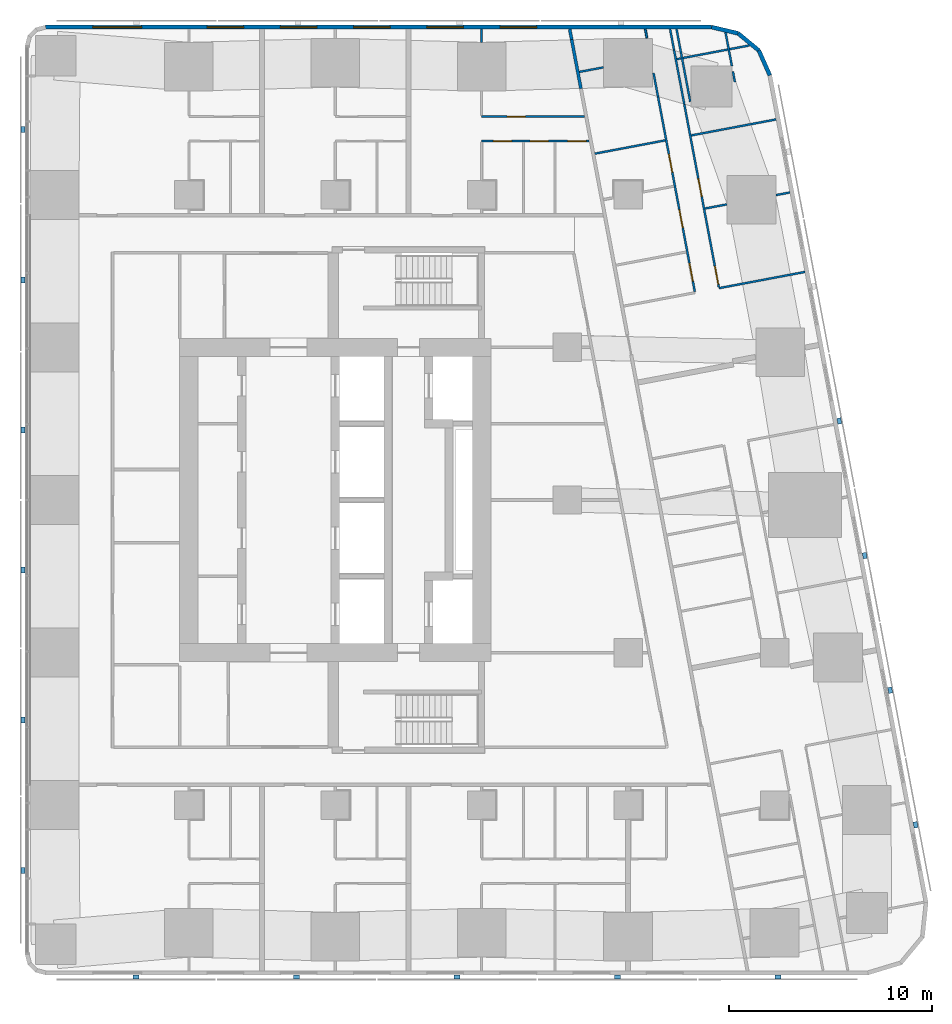
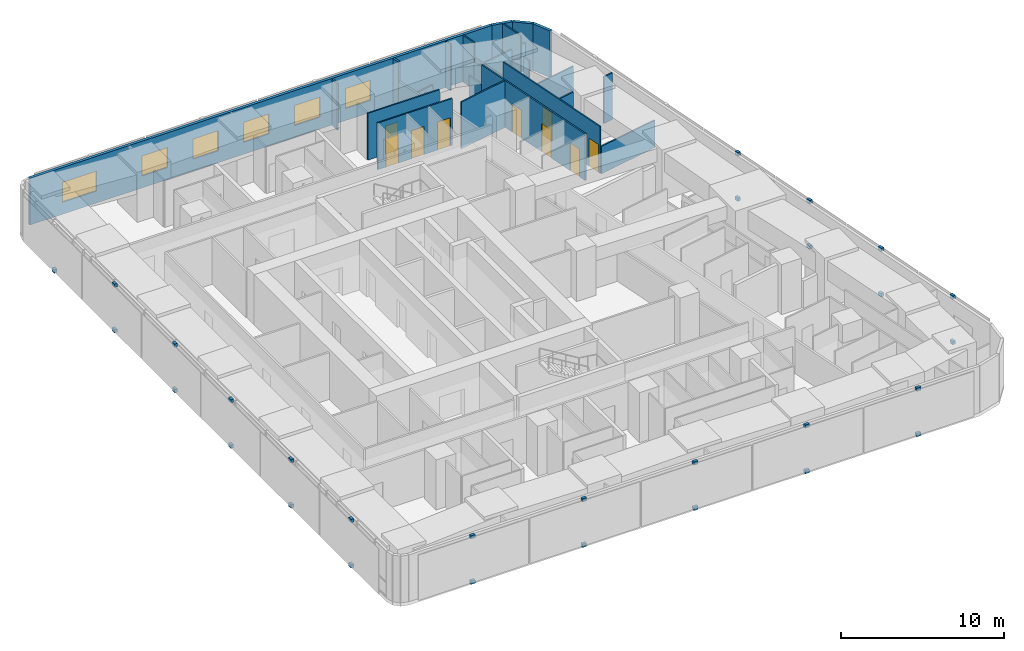
# One storey, part 14 of 17: 29 discrete accessories, 25 walls, 9 doors, 6 windows, 15 openings.
"""IFC4 building model written with IfcOpenShell, lengths in metres."""

from ifc_helpers import new_model, si_unit, direction, frame, frame_2d, origin, origin_2d, place, context, subcontext, project, spatial, rectangle, extrude, material, layer, layer_set, type_object, element, fill, save


model = new_model("IFC4")

# Units and contexts
model_context = context("Model", 3, precision=1e-05, world=origin(), true_north=direction((0.0, 1.0)))
body_context = subcontext(model_context, "Body", "Model", "MODEL_VIEW")
ifc_project = project(units=[si_unit("LENGTHUNIT", "METRE"), si_unit("AREAUNIT", "SQUARE_METRE"), si_unit("VOLUMEUNIT", "CUBIC_METRE"), si_unit("PLANEANGLEUNIT", "RADIAN"), si_unit("MASSUNIT", "GRAM", prefix="KILO")], contexts=[model_context])

# Site, building, storey
site_placement = place(None, origin())
site = spatial("IfcSite", under=ifc_project, at=site_placement, CompositionType="ELEMENT")
building_placement = place(site_placement, origin())
building = spatial("IfcBuilding", under=site, at=building_placement, Name="Sheger Commons Tower", CompositionType="ELEMENT")
storey_placement = place(building_placement, frame((0.0, 0.0, 204.949951171875)))
storey = spatial("IfcBuildingStorey", under=building, at=storey_placement, Name="L52", CompositionType="ELEMENT", Elevation=204.949951171875)

# Walls
ifc_material_1 = material(Name="Hollow concrete block masonry, skimmed both sides", Category="masonry")
ifc_layer_1 = layer(ifc_material_1, 0.14990234375)
ifc_layer_set_1 = layer_set([ifc_layer_1], Name="CORRIDOR WALL 150")
wall_type_1 = type_object("IfcWallType", Name="CORRIDOR WALL 150", PredefinedType="SOLIDWALL", material=ifc_layer_set_1)
wall_1_placement = place(storey_placement, frame((33.126953125, 45.64990234375, 0.0), z_axis=(0.0, 0.0, 1.0), x_axis=(0.185441815104, -0.982655246366, 0.0)))
element("IfcWall", 1, at=wall_1_placement, inside=storey, type_object=wall_type_1, Name="Corridor wall L52", PredefinedType="SOLIDWALL", context=body_context, shape_type="SweptSolid", body=[
    extrude(rectangle(XDim=0.52392578125, YDim=0.14990234375, at=frame_2d((0.261962890625, 0.0))), origin(), (0.0, 0.0, 1.0), 3.5),
])
wall_2_placement = place(storey_placement, frame((33.22412109375, 45.135009765625, 0.0), z_axis=(0.0, 0.0, 1.0), x_axis=(0.185681462868, -0.982609990967, 0.0)))
element("IfcWall", 2, at=wall_2_placement, inside=storey, type_object=wall_type_1, Name="Corridor wall L52", PredefinedType="SOLIDWALL", context=body_context, shape_type="SweptSolid", body=[
    extrude(rectangle(XDim=2.454833984375, YDim=0.14990234375, at=frame_2d((1.2275390625, 0.0))), origin(), (0.0, 0.0, 1.0), 2.050048828125),
])
ifc_material_2 = material(Name="Rendered concrete block masonry, dark grey", Category="masonry")
ifc_layer_2 = layer(ifc_material_2, 0.199951171875)
ifc_layer_set_2 = layer_set([ifc_layer_2], Name="FACADE WALL 200")
wall_type_2 = type_object("IfcWallType", Name="FACADE WALL 200", PredefinedType="SOLIDWALL", material=ifc_layer_set_2)
wall_3_placement = place(storey_placement, frame((42.969970703125, 43.376953125, 0.0), z_axis=(0.0, 0.0, 1.0), x_axis=(-0.406002956633, 0.913871762998, 0.0)))
element("IfcWall", 3, at=wall_3_placement, inside=storey, type_object=wall_type_2, Name="Facade wall L52", PredefinedType="SOLIDWALL", context=body_context, shape_type="SweptSolid", body=[
    extrude(rectangle(XDim=1.33740234375, YDim=0.199951171875, at=frame_2d((0.668701171875, 0.0))), origin(), (0.0, 0.0, 1.0), 3.5),
])
wall_4_placement = place(storey_placement, frame((42.427001953125, 44.59912109375, 0.0), z_axis=(0.0, 0.0, 1.0), x_axis=(-0.770091412544, 0.637933551655, 0.0)))
element("IfcWall", 4, at=wall_4_placement, inside=storey, type_object=wall_type_2, Name="Facade wall L52", PredefinedType="SOLIDWALL", context=body_context, shape_type="SweptSolid", body=[
    extrude(rectangle(XDim=1.324462890625, YDim=0.199951171875, at=frame_2d((0.662109375, 0.0))), origin(), (0.0, 0.0, 1.0), 3.5),
])
wall_5_placement = place(storey_placement, frame((41.406982421875, 45.444091796875, 0.0), z_axis=(0.0, 0.0, 1.0), x_axis=(-0.973453091607, 0.228886606077, 0.0)))
element("IfcWall", 5, at=wall_5_placement, inside=storey, type_object=wall_type_2, Name="Facade wall L52", PredefinedType="SOLIDWALL", context=body_context, shape_type="SweptSolid", body=[
    extrude(rectangle(XDim=1.33642578125, YDim=0.199951171875, at=frame_2d((0.668212890625, 0.0))), origin(), (0.0, 0.0, 1.0), 3.5),
])

# Wall, openings, windows
wall_6_placement = place(storey_placement, frame((40.10595703125, 45.75, 0.0), z_axis=(0.0, 0.0, 1.0), x_axis=(-1.0, 0.0, 0.0)))
wall_6 = element("IfcWall", 6, at=wall_6_placement, inside=storey, type_object=wall_type_2, Name="Facade wall L52", PredefinedType="SOLIDWALL", context=body_context, shape_type="SweptSolid", body=[
    extrude(rectangle(XDim=32.742919921875, YDim=0.199951171875, at=frame_2d((16.37158203125, 0.0))), origin(), (0.0, 0.0, 1.0), 3.5),
])
opening_1_placement = place(wall_6_placement, frame((8.60595703125, 0.0, 0.89990234375)))
opening_1 = element("IfcOpeningElement", 7, at=opening_1_placement, cuts=wall_6, Name="Opening W2", PredefinedType="OPENING", context=body_context, shape_type="SweptSolid", body=[
    extrude(rectangle(XDim=1.800048828125, YDim=1.5, at=frame_2d((0.89990234375, 0.75))), frame((0.0, 0.10986328125, 0.0), z_axis=(0.0, -1.0, 0.0), x_axis=(1.0, 0.0, 0.0)), (0.0, 0.0, 1.0), 0.219970703125),
])
opening_2_placement = place(wall_6_placement, frame((12.2060546875, 0.0, 0.89990234375)))
opening_2 = element("IfcOpeningElement", 8, at=opening_2_placement, cuts=wall_6, Name="Opening W2", PredefinedType="OPENING", context=body_context, shape_type="SweptSolid", body=[
    extrude(rectangle(XDim=1.800048828125, YDim=1.5, at=frame_2d((0.89990234375, 0.75))), frame((0.0, 0.10986328125, 0.0), z_axis=(0.0, -1.0, 0.0), x_axis=(1.0, 0.0, 0.0)), (0.0, 0.0, 1.0), 0.219970703125),
])
opening_3_placement = place(wall_6_placement, frame((15.805908203125, 0.0, 0.89990234375)))
opening_3 = element("IfcOpeningElement", 9, at=opening_3_placement, cuts=wall_6, Name="Opening W2", PredefinedType="OPENING", context=body_context, shape_type="SweptSolid", body=[
    extrude(rectangle(XDim=1.800048828125, YDim=1.5, at=frame_2d((0.89990234375, 0.75))), frame((0.0, 0.10986328125, 0.0), z_axis=(0.0, -1.0, 0.0), x_axis=(1.0, 0.0, 0.0)), (0.0, 0.0, 1.0), 0.219970703125),
])
opening_4_placement = place(wall_6_placement, frame((19.406005859375, 0.0, 0.89990234375)))
opening_4 = element("IfcOpeningElement", 10, at=opening_4_placement, cuts=wall_6, Name="Opening W2", PredefinedType="OPENING", context=body_context, shape_type="SweptSolid", body=[
    extrude(rectangle(XDim=1.800048828125, YDim=1.5, at=frame_2d((0.89990234375, 0.75))), frame((0.0, 0.10986328125, 0.0), z_axis=(0.0, -1.0, 0.0), x_axis=(1.0, 0.0, 0.0)), (0.0, 0.0, 1.0), 0.219970703125),
])
opening_5_placement = place(wall_6_placement, frame((23.006103515625, 0.0, 0.89990234375)))
opening_5 = element("IfcOpeningElement", 11, at=opening_5_placement, cuts=wall_6, Name="Opening W2", PredefinedType="OPENING", context=body_context, shape_type="SweptSolid", body=[
    extrude(rectangle(XDim=1.800048828125, YDim=1.5, at=frame_2d((0.89990234375, 0.75))), frame((0.0, 0.10986328125, 0.0), z_axis=(0.0, -1.0, 0.0), x_axis=(1.0, 0.0, 0.0)), (0.0, 0.0, 1.0), 0.219970703125),
])
opening_6_placement = place(wall_6_placement, frame((28.02490234375, 0.0, 0.89990234375)))
opening_6 = element("IfcOpeningElement", 12, at=opening_6_placement, cuts=wall_6, Name="Opening W1", PredefinedType="OPENING", context=body_context, shape_type="SweptSolid", body=[
    extrude(rectangle(XDim=2.39990234375, YDim=1.5, at=frame_2d((1.199951171875, 0.75))), frame((0.0, 0.10986328125, 0.0), z_axis=(0.0, -1.0, 0.0), x_axis=(1.0, 0.0, 0.0)), (0.0, 0.0, 1.0), 0.219970703125),
])
ifc_material_3 = material(Name="Black aluminium frame, dark tinted double glazing", Category="aluminium")
window_type_1 = type_object("IfcWindowType", Name="WINDOW W1 2400x1500", PartitioningType="SINGLE_PANEL", PredefinedType="WINDOW", material=ifc_material_3)
window_1_placement = place(opening_6_placement, origin())
window_1 = element("IfcWindow", 13, at=window_1_placement, inside=storey, type_object=window_type_1, Name="Window W1 2400X1500", OverallHeight=1.5, OverallWidth=2.39990234375, PartitioningType="SINGLE_PANEL", PredefinedType="WINDOW", context=body_context, shape_type="SweptSolid", body=[
    extrude(rectangle(XDim=2.39990234375, YDim=1.5, at=frame_2d((1.199951171875, 0.75))), frame((0.0, 0.030029296875, 0.0), z_axis=(0.0, -1.0, 0.0), x_axis=(1.0, 0.0, 0.0)), (0.0, 0.0, 1.0), 0.06005859375),
])
fill(opening_6, window_1)
ifc_material_4 = material(Name="Black aluminium frame, dark tinted double glazing", Category="aluminium")
window_type_2 = type_object("IfcWindowType", Name="WINDOW W2 1800x1500", PartitioningType="SINGLE_PANEL", PredefinedType="WINDOW", material=ifc_material_4)
window_2_placement = place(opening_1_placement, origin())
window_2 = element("IfcWindow", 14, at=window_2_placement, inside=storey, type_object=window_type_2, Name="Window W2 1800X1500", OverallHeight=1.5, OverallWidth=1.800048828125, PartitioningType="SINGLE_PANEL", PredefinedType="WINDOW", context=body_context, shape_type="SweptSolid", body=[
    extrude(rectangle(XDim=1.800048828125, YDim=1.5, at=frame_2d((0.89990234375, 0.75))), frame((0.0, 0.030029296875, 0.0), z_axis=(0.0, -1.0, 0.0), x_axis=(1.0, 0.0, 0.0)), (0.0, 0.0, 1.0), 0.06005859375),
])
fill(opening_1, window_2)
window_3_placement = place(opening_2_placement, origin())
window_3 = element("IfcWindow", 15, at=window_3_placement, inside=storey, type_object=window_type_2, Name="Window W2 1800X1500", OverallHeight=1.5, OverallWidth=1.800048828125, PartitioningType="SINGLE_PANEL", PredefinedType="WINDOW", context=body_context, shape_type="SweptSolid", body=[
    extrude(rectangle(XDim=1.800048828125, YDim=1.5, at=frame_2d((0.89990234375, 0.75))), frame((0.0, 0.030029296875, 0.0), z_axis=(0.0, -1.0, 0.0), x_axis=(1.0, 0.0, 0.0)), (0.0, 0.0, 1.0), 0.06005859375),
])
fill(opening_2, window_3)
window_4_placement = place(opening_3_placement, origin())
window_4 = element("IfcWindow", 16, at=window_4_placement, inside=storey, type_object=window_type_2, Name="Window W2 1800X1500", OverallHeight=1.5, OverallWidth=1.800048828125, PartitioningType="SINGLE_PANEL", PredefinedType="WINDOW", context=body_context, shape_type="SweptSolid", body=[
    extrude(rectangle(XDim=1.800048828125, YDim=1.5, at=frame_2d((0.89990234375, 0.75))), frame((0.0, 0.030029296875, 0.0), z_axis=(0.0, -1.0, 0.0), x_axis=(1.0, 0.0, 0.0)), (0.0, 0.0, 1.0), 0.06005859375),
])
fill(opening_3, window_4)
window_5_placement = place(opening_4_placement, origin())
window_5 = element("IfcWindow", 17, at=window_5_placement, inside=storey, type_object=window_type_2, Name="Window W2 1800X1500", OverallHeight=1.5, OverallWidth=1.800048828125, PartitioningType="SINGLE_PANEL", PredefinedType="WINDOW", context=body_context, shape_type="SweptSolid", body=[
    extrude(rectangle(XDim=1.800048828125, YDim=1.5, at=frame_2d((0.89990234375, 0.75))), frame((0.0, 0.030029296875, 0.0), z_axis=(0.0, -1.0, 0.0), x_axis=(1.0, 0.0, 0.0)), (0.0, 0.0, 1.0), 0.06005859375),
])
fill(opening_4, window_5)
window_6_placement = place(opening_5_placement, origin())
window_6 = element("IfcWindow", 18, at=window_6_placement, inside=storey, type_object=window_type_2, Name="Window W2 1800X1500", OverallHeight=1.5, OverallWidth=1.800048828125, PartitioningType="SINGLE_PANEL", PredefinedType="WINDOW", context=body_context, shape_type="SweptSolid", body=[
    extrude(rectangle(XDim=1.800048828125, YDim=1.5, at=frame_2d((0.89990234375, 0.75))), frame((0.0, 0.030029296875, 0.0), z_axis=(0.0, -1.0, 0.0), x_axis=(1.0, 0.0, 0.0)), (0.0, 0.0, 1.0), 0.06005859375),
])
fill(opening_5, window_6)

# Walls
ifc_material_5 = material(Name="Gypsum board on steel studs", Category="steel")
ifc_layer_3 = layer(ifc_material_5, 0.10009765625)
ifc_layer_set_3 = layer_set([ifc_layer_3], Name="PARTITION 100")
wall_type_3 = type_object("IfcWallType", Name="PARTITION 100", PredefinedType="PARTITIONING", material=ifc_layer_set_3)
wall_7_placement = place(storey_placement, frame((39.053955078125, 42.0849609375, 0.0), z_axis=(0.0, 0.0, 1.0), x_axis=(-0.185791584218, 0.982589175207, 0.0)))
element("IfcWall", 19, at=wall_7_placement, inside=storey, type_object=wall_type_3, Name="Partition L52", PredefinedType="PARTITIONING", context=body_context, shape_type="SweptSolid", body=[
    extrude(rectangle(XDim=3.628173828125, YDim=0.10009765625, at=frame_2d((1.81396484375, 0.0))), origin(), (0.0, 0.0, 1.0), 2.050048828125),
])
wall_8_placement = place(storey_placement, frame((40.7890625, 45.487060546875, 0.0), z_axis=(0.0, 0.0, 1.0), x_axis=(0.185572395193, -0.982630594955, 0.0)))
element("IfcWall", 20, at=wall_8_placement, inside=storey, type_object=wall_type_3, Name="Partition L52", PredefinedType="PARTITIONING", context=body_context, shape_type="SweptSolid", body=[
    extrude(rectangle(XDim=1.676025390625, YDim=0.10009765625, at=frame_2d((0.837890625, 0.0))), origin(), (0.0, 0.0, 1.0), 3.5),
])
wall_9_placement = place(storey_placement, frame((41.15087890625, 43.569091796875, 0.0), z_axis=(0.0, 0.0, 1.0), x_axis=(0.186563073924, -0.982442985342, 0.0)))
element("IfcWall", 21, at=wall_9_placement, inside=storey, type_object=wall_type_3, Name="Partition L52", PredefinedType="PARTITIONING", context=body_context, shape_type="SweptSolid", body=[
    extrude(rectangle(XDim=0.53125, YDim=0.10009765625, at=frame_2d((0.265625, 0.0))), origin(), (0.0, 0.0, 1.0), 2.050048828125),
])
wall_10_placement = place(storey_placement, frame((38.06298828125, 45.64990234375, 0.0), z_axis=(0.0, 0.0, 1.0), x_axis=(0.185677287841, -0.982610779902, 0.0)))
element("IfcWall", 22, at=wall_10_placement, inside=storey, type_object=wall_type_3, Name="Partition L52", PredefinedType="PARTITIONING", context=body_context, shape_type="SweptSolid", body=[
    extrude(rectangle(XDim=1.0400390625, YDim=0.10009765625, at=frame_2d((0.52001953125, 0.0))), origin(), (0.0, 0.0, 1.0), 3.5),
])
wall_11_placement = place(storey_placement, frame((38.256103515625, 44.6279296875, 0.0), z_axis=(0.0, 0.0, 1.0), x_axis=(0.185700639943, -0.982606366927, 0.0)))
element("IfcWall", 23, at=wall_11_placement, inside=storey, type_object=wall_type_3, Name="Partition L52", PredefinedType="PARTITIONING", context=body_context, shape_type="SweptSolid", body=[
    extrude(rectangle(XDim=2.734619140625, YDim=0.10009765625, at=frame_2d((1.3671875, 0.0))), origin(), (0.0, 0.0, 1.0), 2.050048828125),
])

# Wall, openings, doors
wall_12_placement = place(storey_placement, frame((38.763916015625, 41.94091796875, 0.0), z_axis=(0.0, 0.0, 1.0), x_axis=(0.185548572312, -0.982635093671, 0.0)))
wall_12 = element("IfcWall", 24, at=wall_12_placement, inside=storey, type_object=wall_type_3, Name="Partition L52", PredefinedType="PARTITIONING", context=body_context, shape_type="SweptSolid", body=[
    extrude(rectangle(XDim=9.135498046875, YDim=0.10009765625, at=frame_2d((4.56787109375, 0.0))), origin(), (0.0, 0.0, 1.0), 3.5),
])
opening_7_placement = place(wall_12_placement, frame((8.0849609375, 0.0, 0.0)))
opening_7 = element("IfcOpeningElement", 25, at=opening_7_placement, cuts=wall_12, Name="Opening D2", PredefinedType="OPENING", context=body_context, shape_type="SweptSolid", body=[
    extrude(rectangle(XDim=0.89990234375, YDim=2.10009765625, at=frame_2d((0.449951171875, 1.050048828125))), frame((0.0, 0.06005859375, 0.0), z_axis=(0.0, -1.0, 0.0), x_axis=(1.0, 0.0, 0.0)), (0.0, 0.0, 1.0), 0.1201171875),
])
opening_8_placement = place(wall_12_placement, frame((3.699951171875, 0.0, 0.0)))
opening_8 = element("IfcOpeningElement", 26, at=opening_8_placement, cuts=wall_12, Name="Opening D2", PredefinedType="OPENING", context=body_context, shape_type="SweptSolid", body=[
    extrude(rectangle(XDim=0.89990234375, YDim=2.10009765625, at=frame_2d((0.449951171875, 1.050048828125))), frame((0.0, 0.06005859375, 0.0), z_axis=(0.0, -1.0, 0.0), x_axis=(1.0, 0.0, 0.0)), (0.0, 0.0, 1.0), 0.1201171875),
])
ifc_material_6 = material(Name="Timber door set", Category="wood")
door_type = type_object("IfcDoorType", Name="INTERNAL DOOR 900x2100", OperationType="NOTDEFINED", PredefinedType="DOOR", material=ifc_material_6)
door_1_placement = place(opening_7_placement, origin())
door_1 = element("IfcDoor", 27, at=door_1_placement, inside=storey, type_object=door_type, Name="Main bedroom door", OperationType="SINGLE_SWING_RIGHT", OverallHeight=2.10009765625, OverallWidth=0.89990234375, PredefinedType="DOOR", context=body_context, shape_type="SweptSolid", body=[
    extrude(rectangle(XDim=0.89990234375, YDim=2.10009765625, at=frame_2d((0.449951171875, 1.050048828125))), frame((0.0, 0.02490234375, 0.0), z_axis=(0.0, -1.0, 0.0), x_axis=(1.0, 0.0, 0.0)), (0.0, 0.0, 1.0), 0.050048828125),
])
fill(opening_7, door_1)
door_2_placement = place(opening_8_placement, origin())
door_2 = element("IfcDoor", 28, at=door_2_placement, inside=storey, type_object=door_type, Name="Bedroom 2 door", OperationType="SINGLE_SWING_RIGHT", OverallHeight=2.10009765625, OverallWidth=0.89990234375, PredefinedType="DOOR", context=body_context, shape_type="SweptSolid", body=[
    extrude(rectangle(XDim=0.89990234375, YDim=2.10009765625, at=frame_2d((0.449951171875, 1.050048828125))), frame((0.0, 0.02490234375, 0.0), z_axis=(0.0, -1.0, 0.0), x_axis=(1.0, 0.0, 0.0)), (0.0, 0.0, 1.0), 0.050048828125),
])
fill(opening_8, door_2)

# Walls
wall_13_placement = place(storey_placement, frame((36.842041015625, 45.64990234375, 0.0), z_axis=(0.0, 0.0, 1.0), x_axis=(0.185407859198, -0.982661653748, 0.0)))
element("IfcWall", 29, at=wall_13_placement, inside=storey, type_object=wall_type_3, Name="Partition L52", PredefinedType="PARTITIONING", context=body_context, shape_type="SweptSolid", body=[
    extrude(rectangle(XDim=0.44775390625, YDim=0.10009765625, at=frame_2d((0.223876953125, 0.0))), origin(), (0.0, 0.0, 1.0), 3.5),
])
wall_14_placement = place(storey_placement, frame((37.2490234375, 43.492919921875, 0.0), z_axis=(0.0, 0.0, 1.0), x_axis=(0.185817643817, -0.982584247404, 0.0)))
element("IfcWall", 30, at=wall_14_placement, inside=storey, type_object=wall_type_3, Name="Partition L52", PredefinedType="PARTITIONING", context=body_context, shape_type="SweptSolid", body=[
    extrude(rectangle(XDim=1.204833984375, YDim=0.10009765625, at=frame_2d((0.6025390625, 0.0))), origin(), (0.0, 0.0, 1.0), 2.050048828125),
])

# Wall, openings, doors
wall_15_placement = place(storey_placement, frame((37.472900390625, 42.30908203125, 0.0), z_axis=(0.0, 0.0, 1.0), x_axis=(0.185491912953, -0.982645790827, 0.0)))
wall_15 = element("IfcWall", 31, at=wall_15_placement, inside=storey, type_object=wall_type_3, Name="Partition L52", PredefinedType="PARTITIONING", context=body_context, shape_type="SweptSolid", body=[
    extrude(rectangle(XDim=9.737060546875, YDim=0.10009765625, at=frame_2d((4.86865234375, 0.0))), origin(), (0.0, 0.0, 1.0), 3.5),
])
opening_9_placement = place(wall_15_placement, frame((8.31201171875, 0.0, 0.0)))
opening_9 = element("IfcOpeningElement", 32, at=opening_9_placement, cuts=wall_15, Name="Opening D2", PredefinedType="OPENING", context=body_context, shape_type="SweptSolid", body=[
    extrude(rectangle(XDim=0.89990234375, YDim=2.10009765625, at=frame_2d((0.449951171875, 1.050048828125))), frame((0.0, 0.06005859375, 0.0), z_axis=(0.0, -1.0, 0.0), x_axis=(1.0, 0.0, 0.0)), (0.0, 0.0, 1.0), 0.1201171875),
])
opening_10_placement = place(wall_15_placement, frame((2.85302734375, 0.0, 0.0)))
opening_10 = element("IfcOpeningElement", 33, at=opening_10_placement, cuts=wall_15, Name="Opening D2", PredefinedType="OPENING", context=body_context, shape_type="SweptSolid", body=[
    extrude(rectangle(XDim=0.89990234375, YDim=2.10009765625, at=frame_2d((0.449951171875, 1.050048828125))), frame((0.0, 0.06005859375, 0.0), z_axis=(0.0, -1.0, 0.0), x_axis=(1.0, 0.0, 0.0)), (0.0, 0.0, 1.0), 0.1201171875),
])
opening_11_placement = place(wall_15_placement, frame((5.64404296875, 0.0, 0.0)))
opening_11 = element("IfcOpeningElement", 34, at=opening_11_placement, cuts=wall_15, Name="Opening D2", PredefinedType="OPENING", context=body_context, shape_type="SweptSolid", body=[
    extrude(rectangle(XDim=0.89990234375, YDim=2.10009765625, at=frame_2d((0.449951171875, 1.050048828125))), frame((0.0, 0.06005859375, 0.0), z_axis=(0.0, -1.0, 0.0), x_axis=(1.0, 0.0, 0.0)), (0.0, 0.0, 1.0), 0.1201171875),
])
door_3_placement = place(opening_9_placement, origin())
door_3 = element("IfcDoor", 35, at=door_3_placement, inside=storey, type_object=door_type, Name="Bathroom door", OperationType="SINGLE_SWING_LEFT", OverallHeight=2.10009765625, OverallWidth=0.89990234375, PredefinedType="DOOR", context=body_context, shape_type="SweptSolid", body=[
    extrude(rectangle(XDim=0.89990234375, YDim=2.10009765625, at=frame_2d((0.449951171875, 1.050048828125))), frame((0.0, 0.02490234375, 0.0), z_axis=(0.0, -1.0, 0.0), x_axis=(1.0, 0.0, 0.0)), (0.0, 0.0, 1.0), 0.050048828125),
])
fill(opening_9, door_3)
door_4_placement = place(opening_10_placement, origin())
door_4 = element("IfcDoor", 36, at=door_4_placement, inside=storey, type_object=door_type, Name="Laundry room door", OperationType="SINGLE_SWING_LEFT", OverallHeight=2.10009765625, OverallWidth=0.89990234375, PredefinedType="DOOR", context=body_context, shape_type="SweptSolid", body=[
    extrude(rectangle(XDim=0.89990234375, YDim=2.10009765625, at=frame_2d((0.449951171875, 1.050048828125))), frame((0.0, 0.02490234375, 0.0), z_axis=(0.0, -1.0, 0.0), x_axis=(1.0, 0.0, 0.0)), (0.0, 0.0, 1.0), 0.050048828125),
])
fill(opening_10, door_4)
door_5_placement = place(opening_11_placement, origin())
door_5 = element("IfcDoor", 37, at=door_5_placement, inside=storey, type_object=door_type, Name="Store door", OperationType="SINGLE_SWING_LEFT", OverallHeight=2.10009765625, OverallWidth=0.89990234375, PredefinedType="DOOR", context=body_context, shape_type="SweptSolid", body=[
    extrude(rectangle(XDim=0.89990234375, YDim=2.10009765625, at=frame_2d((0.449951171875, 1.050048828125))), frame((0.0, 0.02490234375, 0.0), z_axis=(0.0, -1.0, 0.0), x_axis=(1.0, 0.0, 0.0)), (0.0, 0.0, 1.0), 0.050048828125),
])
fill(opening_11, door_5)

# Walls
wall_16_placement = place(storey_placement, frame((41.968017578125, 44.85009765625, 0.0), z_axis=(0.0, 0.0, 1.0), x_axis=(-0.98258614234, -0.185807623311, 0.0)))
element("IfcWall", 38, at=wall_16_placement, inside=storey, type_object=wall_type_3, Name="Partition L52", PredefinedType="PARTITIONING", context=body_context, shape_type="SweptSolid", body=[
    extrude(rectangle(XDim=3.638427734375, YDim=0.10009765625, at=frame_2d((1.8193359375, 0.0))), origin(), (0.0, 0.0, 1.0), 2.050048828125),
])
wall_17_placement = place(storey_placement, frame((43.277099609375, 41.2119140625, 0.0), z_axis=(0.0, 0.0, 1.0), x_axis=(-0.982665405803, -0.185387972203, 0.0)))
element("IfcWall", 39, at=wall_17_placement, inside=storey, type_object=wall_type_3, Name="Partition L52", PredefinedType="PARTITIONING", context=body_context, shape_type="SweptSolid", body=[
    extrude(rectangle(XDim=4.249755859375, YDim=0.10009765625, at=frame_2d((2.125, 0.0))), origin(), (0.0, 0.0, 1.0), 2.050048828125),
])
wall_18_placement = place(storey_placement, frame((43.955078125, 37.6201171875, 0.0), z_axis=(0.0, 0.0, 1.0), x_axis=(-0.982495415327, -0.186286765128, 0.0)))
element("IfcWall", 40, at=wall_18_placement, inside=storey, type_object=wall_type_3, Name="Partition L52", PredefinedType="PARTITIONING", context=body_context, shape_type="SweptSolid", body=[
    extrude(rectangle(XDim=0.693359375, YDim=0.10009765625, at=frame_2d((0.3466796875, 0.0))), origin(), (0.0, 0.0, 1.0), 3.5),
])
wall_19_placement = place(storey_placement, frame((40.85400390625, 37.033935546875, 0.0), z_axis=(0.0, 0.0, 1.0), x_axis=(-0.982651678759, -0.185460718839, 0.0)))
element("IfcWall", 41, at=wall_19_placement, inside=storey, type_object=wall_type_3, Name="Partition L52", PredefinedType="PARTITIONING", context=body_context, shape_type="SweptSolid", body=[
    extrude(rectangle(XDim=1.093994140625, YDim=0.10009765625, at=frame_2d((0.546875, 0.0))), origin(), (0.0, 0.0, 1.0), 3.5),
])
wall_20_placement = place(storey_placement, frame((44.693115234375, 33.712890625, 0.0), z_axis=(0.0, 0.0, 1.0), x_axis=(-0.982633535512, -0.185556823879, 0.0)))
element("IfcWall", 42, at=wall_20_placement, inside=storey, type_object=wall_type_3, Name="Partition L52", PredefinedType="PARTITIONING", context=body_context, shape_type="SweptSolid", body=[
    extrude(rectangle(XDim=4.2998046875, YDim=0.10009765625, at=frame_2d((2.14990234375, 0.0))), origin(), (0.0, 0.0, 1.0), 2.050048828125),
])
wall_21_placement = place(storey_placement, frame((34.7900390625, 43.77099609375, 0.0), z_axis=(0.0, 0.0, 1.0), x_axis=(-0.982730261052, -0.18504387051, 0.0)))
element("IfcWall", 43, at=wall_21_placement, inside=storey, type_object=wall_type_3, Name="Partition L52", PredefinedType="PARTITIONING", context=body_context, shape_type="SweptSolid", body=[
    extrude(rectangle(XDim=1.2099609375, YDim=0.10009765625, at=frame_2d((0.60498046875, 0.0))), origin(), (0.0, 0.0, 1.0), 2.050048828125),
])
wall_22_placement = place(storey_placement, frame((37.822998046875, 40.181884765625, 0.0), z_axis=(0.0, 0.0, 1.0), x_axis=(-0.98263926043, -0.185526504472, 0.0)))
element("IfcWall", 44, at=wall_22_placement, inside=storey, type_object=wall_type_3, Name="Partition L52", PredefinedType="PARTITIONING", context=body_context, shape_type="SweptSolid", body=[
    extrude(rectangle(XDim=3.524169921875, YDim=0.10009765625, at=frame_2d((1.76220703125, 0.0))), origin(), (0.0, 0.0, 1.0), 3.5),
])

# Wall, opening, door
wall_23_placement = place(storey_placement, frame((28.800048828125, 41.35009765625, 0.0), z_axis=(0.0, 0.0, 1.0), x_axis=(1.0, 0.0, 0.0)))
wall_23 = element("IfcWall", 45, at=wall_23_placement, inside=storey, type_object=wall_type_3, Name="Partition L52", PredefinedType="PARTITIONING", context=body_context, shape_type="SweptSolid", body=[
    extrude(rectangle(XDim=5.052978515625, YDim=0.10009765625, at=frame_2d((2.5263671875, 0.0))), origin(), (0.0, 0.0, 1.0), 3.5),
])
opening_12_placement = place(wall_23_placement, frame((1.25, 0.0, 0.0)))
opening_12 = element("IfcOpeningElement", 46, at=opening_12_placement, cuts=wall_23, Name="Opening D2", PredefinedType="OPENING", context=body_context, shape_type="SweptSolid", body=[
    extrude(rectangle(XDim=0.89990234375, YDim=2.10009765625, at=frame_2d((0.449951171875, 1.050048828125))), frame((0.0, 0.06005859375, 0.0), z_axis=(0.0, -1.0, 0.0), x_axis=(1.0, 0.0, 0.0)), (0.0, 0.0, 1.0), 0.1201171875),
])
door_6_placement = place(opening_12_placement, origin())
door_6 = element("IfcDoor", 47, at=door_6_placement, inside=storey, type_object=door_type, Name="Main bedroom door", OperationType="SINGLE_SWING_RIGHT", OverallHeight=2.10009765625, OverallWidth=0.89990234375, PredefinedType="DOOR", context=body_context, shape_type="SweptSolid", body=[
    extrude(rectangle(XDim=0.89990234375, YDim=2.10009765625, at=frame_2d((0.449951171875, 1.050048828125))), frame((0.0, 0.02490234375, 0.0), z_axis=(0.0, -1.0, 0.0), x_axis=(1.0, 0.0, 0.0)), (0.0, 0.0, 1.0), 0.050048828125),
])
fill(opening_12, door_6)

# Wall, openings, doors
wall_24_placement = place(storey_placement, frame((28.800048828125, 40.14990234375, 0.0), z_axis=(0.0, 0.0, 1.0), x_axis=(1.0, 0.0, 0.0)))
wall_24 = element("IfcWall", 48, at=wall_24_placement, inside=storey, type_object=wall_type_3, Name="Partition L52", PredefinedType="PARTITIONING", context=body_context, shape_type="SweptSolid", body=[
    extrude(rectangle(XDim=5.280029296875, YDim=0.10009765625, at=frame_2d((2.64013671875, 0.0))), origin(), (0.0, 0.0, 1.0), 3.5),
])
opening_13_placement = place(wall_24_placement, frame((0.574951171875, 0.0, 0.0)))
opening_13 = element("IfcOpeningElement", 49, at=opening_13_placement, cuts=wall_24, Name="Opening D2", PredefinedType="OPENING", context=body_context, shape_type="SweptSolid", body=[
    extrude(rectangle(XDim=0.89990234375, YDim=2.10009765625, at=frame_2d((0.449951171875, 1.050048828125))), frame((0.0, 0.06005859375, 0.0), z_axis=(0.0, -1.0, 0.0), x_axis=(1.0, 0.0, 0.0)), (0.0, 0.0, 1.0), 0.1201171875),
])
opening_14_placement = place(wall_24_placement, frame((4.22998046875, 0.0, 0.0)))
opening_14 = element("IfcOpeningElement", 50, at=opening_14_placement, cuts=wall_24, Name="Opening D2", PredefinedType="OPENING", context=body_context, shape_type="SweptSolid", body=[
    extrude(rectangle(XDim=0.89990234375, YDim=2.10009765625, at=frame_2d((0.449951171875, 1.050048828125))), frame((0.0, 0.06005859375, 0.0), z_axis=(0.0, -1.0, 0.0), x_axis=(1.0, 0.0, 0.0)), (0.0, 0.0, 1.0), 0.1201171875),
])
opening_15_placement = place(wall_24_placement, frame((2.375, 0.0, 0.0)))
opening_15 = element("IfcOpeningElement", 51, at=opening_15_placement, cuts=wall_24, Name="Opening D2", PredefinedType="OPENING", context=body_context, shape_type="SweptSolid", body=[
    extrude(rectangle(XDim=0.89990234375, YDim=2.10009765625, at=frame_2d((0.449951171875, 1.050048828125))), frame((0.0, 0.06005859375, 0.0), z_axis=(0.0, -1.0, 0.0), x_axis=(1.0, 0.0, 0.0)), (0.0, 0.0, 1.0), 0.1201171875),
])
door_7_placement = place(opening_13_placement, origin())
door_7 = element("IfcDoor", 52, at=door_7_placement, inside=storey, type_object=door_type, Name="Bathroom door", OperationType="SINGLE_SWING_RIGHT", OverallHeight=2.10009765625, OverallWidth=0.89990234375, PredefinedType="DOOR", context=body_context, shape_type="SweptSolid", body=[
    extrude(rectangle(XDim=0.89990234375, YDim=2.10009765625, at=frame_2d((0.449951171875, 1.050048828125))), frame((0.0, 0.02490234375, 0.0), z_axis=(0.0, -1.0, 0.0), x_axis=(1.0, 0.0, 0.0)), (0.0, 0.0, 1.0), 0.050048828125),
])
fill(opening_13, door_7)
door_8_placement = place(opening_14_placement, origin())
door_8 = element("IfcDoor", 53, at=door_8_placement, inside=storey, type_object=door_type, Name="Laundry room door", OperationType="SINGLE_SWING_LEFT", OverallHeight=2.10009765625, OverallWidth=0.89990234375, PredefinedType="DOOR", context=body_context, shape_type="SweptSolid", body=[
    extrude(rectangle(XDim=0.89990234375, YDim=2.10009765625, at=frame_2d((0.449951171875, 1.050048828125))), frame((0.0, 0.02490234375, 0.0), z_axis=(0.0, -1.0, 0.0), x_axis=(1.0, 0.0, 0.0)), (0.0, 0.0, 1.0), 0.050048828125),
])
fill(opening_14, door_8)
door_9_placement = place(opening_15_placement, origin())
door_9 = element("IfcDoor", 54, at=door_9_placement, inside=storey, type_object=door_type, Name="Store door", OperationType="SINGLE_SWING_LEFT", OverallHeight=2.10009765625, OverallWidth=0.89990234375, PredefinedType="DOOR", context=body_context, shape_type="SweptSolid", body=[
    extrude(rectangle(XDim=0.89990234375, YDim=2.10009765625, at=frame_2d((0.449951171875, 1.050048828125))), frame((0.0, 0.02490234375, 0.0), z_axis=(0.0, -1.0, 0.0), x_axis=(1.0, 0.0, 0.0)), (0.0, 0.0, 1.0), 0.050048828125),
])
fill(opening_15, door_9)

# Wall
wall_25_placement = place(storey_placement, frame((28.800048828125, 45.0009765625, 0.0), z_axis=(0.0, 0.0, 1.0), x_axis=(0.0, 1.0, 0.0)))
element("IfcWall", 55, at=wall_25_placement, inside=storey, type_object=wall_type_3, Name="Partition L52", PredefinedType="PARTITIONING", context=body_context, shape_type="SweptSolid", body=[
    extrude(rectangle(XDim=0.64892578125, YDim=0.10009765625, at=frame_2d((0.324462890625, 0.0))), origin(), (0.0, 0.0, 1.0), 3.5),
])

# Discrete accessories
ifc_material_7 = material(Name="Black painted steel bracket", Category="steel")
discrete_accessory_type = type_object("IfcDiscreteAccessoryType", Name="SCREEN BRACKET 300x200x250", PredefinedType="BRACKET", material=ifc_material_7)
for number, where, z_axis, x_axis, name in (
    (56, (11.7958984375, -0.949951171875, -0.099853515625), (0.0, 0.0, 1.0), (1.0, 0.0, 0.0), "Solar screen foot bracket"),
    (57, (11.7958984375, -0.949951171875, 3.300048828125), (0.0, 0.0, 1.0), (1.0, 0.0, 0.0), "Solar screen head bracket"),
    (58, (19.68701171875, -0.949951171875, -0.099853515625), (0.0, 0.0, 1.0), (1.0, 0.0, 0.0), "Solar screen foot bracket"),
    (59, (19.68701171875, -0.949951171875, 3.300048828125), (0.0, 0.0, 1.0), (1.0, 0.0, 0.0), "Solar screen head bracket"),
    (60, (27.577880859375, -0.949951171875, -0.099853515625), (0.0, 0.0, 1.0), (1.0, 0.0, 0.0), "Solar screen foot bracket"),
    (61, (27.577880859375, -0.949951171875, 3.300048828125), (0.0, 0.0, 1.0), (1.0, 0.0, 0.0), "Solar screen head bracket"),
    (62, (35.468994140625, -0.949951171875, -0.099853515625), (0.0, 0.0, 1.0), (1.0, 0.0, 0.0), "Solar screen foot bracket"),
    (63, (35.468994140625, -0.949951171875, 3.300048828125), (0.0, 0.0, 1.0), (1.0, 0.0, 0.0), "Solar screen head bracket"),
    (64, (43.360107421875, -0.949951171875, -0.099853515625), (0.0, 0.0, 1.0), (1.0, 0.0, 0.0), "Solar screen foot bracket"),
    (65, (43.360107421875, -0.949951171875, 3.300048828125), (0.0, 0.0, 1.0), (1.0, 0.0, 0.0), "Solar screen head bracket"),
    (66, (50.134033203125, 6.527099609375, -0.099853515625), (0.0, 0.0, 1.0), (-0.185615165645, 0.982622516678, 0.0), "Solar screen foot bracket"),
    (67, (50.134033203125, 6.527099609375, 3.300048828125), (0.0, 0.0, 1.0), (-0.185615165645, 0.982622516678, 0.0), "Solar screen head bracket"),
    (68, (48.884033203125, 13.14599609375, -0.099853515625), (0.0, 0.0, 1.0), (-0.185615165645, 0.982622516678, 0.0), "Solar screen foot bracket"),
    (69, (48.884033203125, 13.14599609375, 3.300048828125), (0.0, 0.0, 1.0), (-0.185615165645, 0.982622516678, 0.0), "Solar screen head bracket"),
    (70, (47.633056640625, 19.76611328125, -0.099853515625), (0.0, 0.0, 1.0), (-0.185615165645, 0.982622516678, 0.0), "Solar screen foot bracket"),
    (71, (47.633056640625, 19.76611328125, 3.300048828125), (0.0, 0.0, 1.0), (-0.185615165645, 0.982622516678, 0.0), "Solar screen head bracket"),
    (72, (46.383056640625, 26.385009765625, -0.099853515625), (0.0, 0.0, 1.0), (-0.185615165645, 0.982622516678, 0.0), "Solar screen foot bracket"),
    (73, (46.383056640625, 26.385009765625, 3.300048828125), (0.0, 0.0, 1.0), (-0.185615165645, 0.982622516678, 0.0), "Solar screen head bracket"),
    (74, (6.25, 40.7080078125, -0.099853515625), (0.0, 0.0, 1.0), (0.0, -1.0, 0.0), "Solar screen foot bracket"),
    (75, (6.25, 33.324951171875, -0.099853515625), (0.0, 0.0, 1.0), (0.0, -1.0, 0.0), "Solar screen foot bracket"),
    (76, (6.25, 33.324951171875, 3.300048828125), (0.0, 0.0, 1.0), (0.0, -1.0, 0.0), "Solar screen head bracket"),
    (77, (6.25, 25.94189453125, -0.099853515625), (0.0, 0.0, 1.0), (0.0, -1.0, 0.0), "Solar screen foot bracket"),
    (78, (6.25, 25.94189453125, 3.300048828125), (0.0, 0.0, 1.0), (0.0, -1.0, 0.0), "Solar screen head bracket"),
    (79, (6.25, 19.05810546875, -0.099853515625), (0.0, 0.0, 1.0), (0.0, -1.0, 0.0), "Solar screen foot bracket"),
    (80, (6.25, 19.05810546875, 3.300048828125), (0.0, 0.0, 1.0), (0.0, -1.0, 0.0), "Solar screen head bracket"),
    (81, (6.25, 11.675048828125, -0.099853515625), (0.0, 0.0, 1.0), (0.0, -1.0, 0.0), "Solar screen foot bracket"),
    (82, (6.25, 11.675048828125, 3.300048828125), (0.0, 0.0, 1.0), (0.0, -1.0, 0.0), "Solar screen head bracket"),
    (83, (6.25, 4.2919921875, -0.099853515625), (0.0, 0.0, 1.0), (0.0, -1.0, 0.0), "Solar screen foot bracket"),
    (84, (6.25, 4.2919921875, 3.300048828125), (0.0, 0.0, 1.0), (0.0, -1.0, 0.0), "Solar screen head bracket"),
):
    element("IfcDiscreteAccessory", number, at=place(storey_placement, frame(where, z_axis=z_axis, x_axis=x_axis)), inside=storey, type_object=discrete_accessory_type, Name=name, PredefinedType="BRACKET", context=body_context, shape_type="SweptSolid", body=[
        extrude(rectangle(XDim=0.300048828125, YDim=0.199951171875, at=origin_2d()), origin(), (0.0, 0.0, 1.0), 0.25),
    ])

save(model, "model.ifc")
